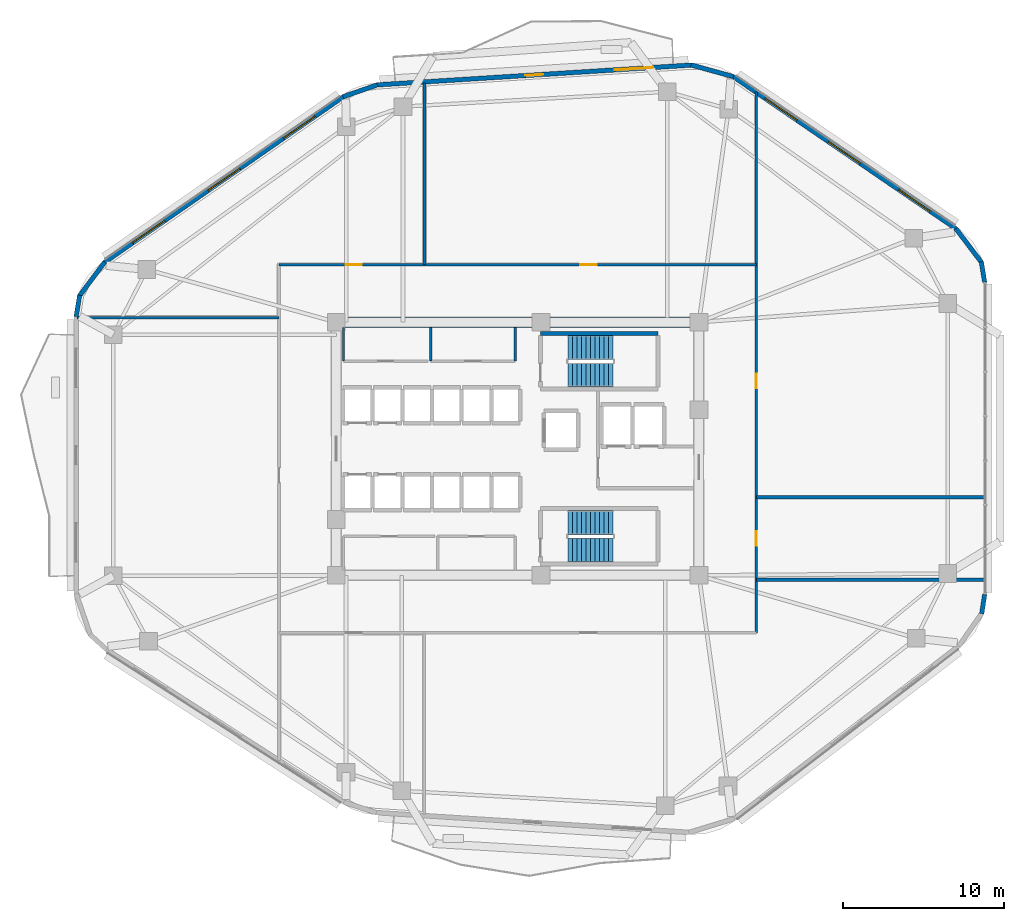
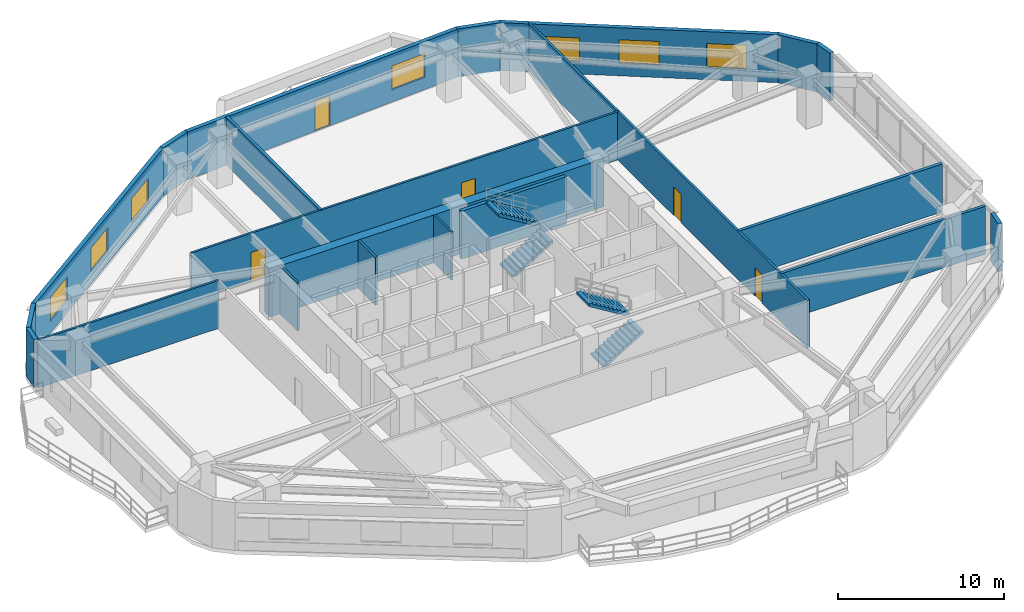
# One storey, part 10 of 13: 21 walls, 7 windows, 5 doors, 4 stair flights, 12 openings, 2 elements without a shape of their own.
"""IFC4 building model written with IfcOpenShell, lengths in metres."""

import ifcopenshell
import ifcopenshell.guid

model = None  # the IFC model being written
_history = None  # IfcOwnerHistory: only IFC2X3 demands one
_inside = {}  # id of a spatial element -> (the spatial element, [elements in it])
_under = {}  # id of a project, library or spatial element -> (it, [spatial elements below it])
_declared = {}  # id of a project -> (the project, [libraries it declares])
_typed = {}  # id of a type object -> (the type object, [elements of that type])
_made_of = {}  # id of a material, layer set ... -> (it, [elements and type objects made of it])


def new_model(schema):
    """Start an empty IFC model of exactly this schema.

    Asked for "IFC4X3", IfcOpenShell would pick the latest addendum, in which some entities
    have other attributes; the version numbers below select the first issue.
    IFC2X3 requires an IfcOwnerHistory on every rooted entity: one is made here for all.
    """
    global model, _history
    if schema == "IFC4X3":
        model = ifcopenshell.file(schema_version=(4, 3, 0, 0))
    else:
        model = ifcopenshell.file(schema=schema)
    _inside.clear()
    _under.clear()
    _declared.clear()
    _typed.clear()
    _made_of.clear()
    _history = None
    if model.schema == "IFC2X3":
        org = make("IfcOrganization", Name="unknown")
        user = make(
            "IfcPersonAndOrganization",
            ThePerson=make("IfcPerson", FamilyName="unknown"),
            TheOrganization=org,
        )
        app = make(
            "IfcApplication",
            ApplicationDeveloper=org,
            Version="unknown",
            ApplicationFullName="unknown",
            ApplicationIdentifier="unknown",
        )
        _history = make(
            "IfcOwnerHistory",
            OwningUser=user,
            OwningApplication=app,
            ChangeAction="ADDED",
            CreationDate=0,
        )
    return model


def make(cls, **values):
    """One entity of the class cls with the attributes given. An attribute that is None is left unset."""
    return model.create_entity(
        cls, **{name: value for name, value in values.items() if value is not None}
    )


def rooted(cls, **values):
    """An entity with a GlobalId (a new one), such as an element, a storey or a relation."""
    return make(cls, GlobalId=ifcopenshell.guid.new(), OwnerHistory=_history, **values)


def si_unit(unit_type, name, prefix=None):
    """IfcSIUnit, for example si_unit("LENGTHUNIT", "METRE", prefix="MILLI")."""
    return make("IfcSIUnit", UnitType=unit_type, Prefix=prefix, Name=name)


def assignment(units):
    """IfcUnitAssignment: the units of a project."""
    return None if units is None else make("IfcUnitAssignment", Units=units)


def point(xyz):
    """IfcCartesianPoint."""
    return None if xyz is None else make("IfcCartesianPoint", Coordinates=xyz)


def direction(xyz):
    """IfcDirection."""
    return None if xyz is None else make("IfcDirection", DirectionRatios=xyz)


def frame(location, z_axis=None, x_axis=None):
    """IfcAxis2Placement3D, a coordinate frame: its origin and axes. An axis left out is left unset."""
    return make(
        "IfcAxis2Placement3D",
        Location=point(location),
        Axis=direction(z_axis),
        RefDirection=direction(x_axis),
    )


def frame_2d(location, x_axis=None):
    """IfcAxis2Placement2D, a coordinate frame in the plane: its origin and x axis."""
    return make(
        "IfcAxis2Placement2D", Location=point(location), RefDirection=direction(x_axis)
    )


def origin():
    """The frame at (0, 0, 0) with its axes left unset."""
    return frame((0.0, 0.0, 0.0))


def place(relative_to, where):
    """IfcLocalPlacement: puts the frame where relative to a parent placement (None: the world)."""
    return make(
        "IfcLocalPlacement", PlacementRelTo=relative_to, RelativePlacement=where
    )


def context(
    kind, dimensions, precision=None, world=None, true_north=None, identifier=None
):
    """IfcGeometricRepresentationContext, for example the 3D "Model" context."""
    return make(
        "IfcGeometricRepresentationContext",
        ContextIdentifier=identifier,
        ContextType=kind,
        CoordinateSpaceDimension=dimensions,
        Precision=precision,
        WorldCoordinateSystem=world,
        TrueNorth=true_north,
    )


def subcontext(parent, identifier, kind, view, scale=None):
    """IfcGeometricRepresentationSubContext, for example "Body" below "Model"."""
    return make(
        "IfcGeometricRepresentationSubContext",
        ContextIdentifier=identifier,
        ContextType=kind,
        ParentContext=parent,
        TargetScale=scale,
        TargetView=view,
    )


def project(units=None, contexts=None):
    """IfcProject with its units and contexts."""
    return rooted(
        "IfcProject",
        Name="project",
        RepresentationContexts=contexts,
        UnitsInContext=assignment(units),
    )


def spatial(cls, under=None, at=None, **own):
    """A site, building, storey or space (cls), placed at a placement, below another one or the project."""
    s = rooted(cls, ObjectPlacement=at, **own)
    if under is not None:
        _under.setdefault(under.id(), (under, []))[1].append(s)
    return s


def polyline(points):
    """IfcPolyline through the points."""
    return make("IfcPolyline", Points=[point(p) for p in points])


def profile(cls, at=None, kind="AREA", **sizes):
    """A parametric profile (cls). Its sizes go by their IFC names, for example OverallWidth=200.0."""
    return make(cls, ProfileType=kind, Position=at, **sizes)


def rectangle(**sizes):
    """IfcRectangleProfileDef."""
    return profile("IfcRectangleProfileDef", **sizes)


def outline(outer, holes=None, kind="AREA"):
    """IfcArbitraryClosedProfileDef: a profile drawn as a closed curve; with holes, ...WithVoids."""
    if holes is None:
        return make("IfcArbitraryClosedProfileDef", ProfileType=kind, OuterCurve=outer)
    return make(
        "IfcArbitraryProfileDefWithVoids",
        ProfileType=kind,
        OuterCurve=outer,
        InnerCurves=holes,
    )


def extrude(swept, where, along, depth):
    """IfcExtrudedAreaSolid: the profile swept, set in the frame where, extruded along a direction by depth."""
    return make(
        "IfcExtrudedAreaSolid",
        SweptArea=swept,
        Position=where,
        ExtrudedDirection=direction(along),
        Depth=depth,
    )


def shape(context_of_items, identifier, shape_type, items):
    """IfcShapeRepresentation: the items that make up one representation, for example the "Body"."""
    return make(
        "IfcShapeRepresentation",
        ContextOfItems=context_of_items,
        RepresentationIdentifier=identifier,
        RepresentationType=shape_type,
        Items=items,
    )


def material(Name=None, Category=None):
    """IfcMaterial."""
    return make("IfcMaterial", Name=Name, Category=Category)


def layer(
    of_material, thickness, ventilated=None, Name=None, Category=None, Priority=None
):
    """IfcMaterialLayer: one layer of a wall or slab, of a material (None: an air gap)."""
    return make(
        "IfcMaterialLayer",
        Material=of_material,
        LayerThickness=thickness,
        IsVentilated=ventilated,
        Name=Name,
        Category=Category,
        Priority=Priority,
    )


def layer_set(layers, Name=None):
    """IfcMaterialLayerSet."""
    return make("IfcMaterialLayerSet", MaterialLayers=layers, LayerSetName=Name)


def made_of(thing, what):
    """Note that an element or type object is made of a material, layer set ...; save() writes the relation."""
    if what is not None:
        _made_of.setdefault(what.id(), (what, []))[1].append(thing)
    return thing


def type_object(cls, material=None, **own):
    """A type object (cls), such as IfcWallType, which elements share."""
    return made_of(rooted(cls, **own), material)


def element(
    cls,
    number,
    at=None,
    inside=None,
    cuts=None,
    type_object=None,
    material=None,
    context=None,
    identifier="Body",
    shape_type=None,
    held_by="IfcProductDefinitionShape",
    body=None,
    shapes=None,
    **own,
):
    """One element of the class cls, such as IfcWall. Its Tag is "e" and its number.

    at: its placement. inside: the storey or other place that contains it. cuts: it is an
    opening in that element (IfcRelVoidsElement). A single representation is given by context,
    identifier, shape_type and body (its items); several are given by shapes. held_by: the class
    of the entity that holds the representations. save() writes the other relations.
    """
    e = rooted(cls, Tag="e%d" % number, ObjectPlacement=at, **own)
    if body is not None:
        shapes = [shape(context, identifier, shape_type, body)]
    if shapes is not None:
        e.Representation = make(held_by, Representations=shapes)
    if inside is not None:
        _inside.setdefault(inside.id(), (inside, []))[1].append(e)
    if cuts is not None:
        rooted(
            "IfcRelVoidsElement", RelatingBuildingElement=cuts, RelatedOpeningElement=e
        )
    if type_object is not None:
        _typed.setdefault(type_object.id(), (type_object, []))[1].append(e)
    return made_of(e, material)


def fill(opening, filler):
    """IfcRelFillsElement: the door or window that sits in an opening."""
    return rooted(
        "IfcRelFillsElement",
        RelatingOpeningElement=opening,
        RelatedBuildingElement=filler,
    )


def aggregate(whole, parts):
    """IfcRelAggregates: a whole, such as a stair, and the parts it consists of."""
    return rooted("IfcRelAggregates", RelatingObject=whole, RelatedObjects=parts)


def save(model, path):
    """Write the relations noted so far, then the file.

    IfcRelAggregates (storeys below a building ...), IfcRelContainedInSpatialStructure (elements
    in a storey), IfcRelDefinesByType, IfcRelAssociatesMaterial and IfcRelDeclares: one each for
    every whole, place, type object, material and project.
    """
    for whole, parts in _under.values():
        aggregate(whole, parts)
    for where, things in _inside.values():
        rooted(
            "IfcRelContainedInSpatialStructure",
            RelatedElements=things,
            RelatingStructure=where,
        )
    for kind, things in _typed.values():
        rooted("IfcRelDefinesByType", RelatedObjects=things, RelatingType=kind)
    for what, things in _made_of.values():
        rooted("IfcRelAssociatesMaterial", RelatedObjects=things, RelatingMaterial=what)
    for by, libraries in _declared.values():
        rooted("IfcRelDeclares", RelatingContext=by, RelatedDefinitions=libraries)
    model.write(path)


model = new_model("IFC4")

# Units and contexts
model_context = context("Model", 3, precision=1e-05, world=origin(), true_north=direction((0.0, 1.0)))
body_context = subcontext(model_context, "Body", "Model", "MODEL_VIEW")
ifc_project = project(units=[si_unit("LENGTHUNIT", "METRE"), si_unit("AREAUNIT", "SQUARE_METRE"), si_unit("VOLUMEUNIT", "CUBIC_METRE"), si_unit("PLANEANGLEUNIT", "RADIAN"), si_unit("MASSUNIT", "GRAM", prefix="KILO")], contexts=[model_context])

# Site, building, storey
site_placement = place(None, origin())
site = spatial("IfcSite", under=ifc_project, at=site_placement, CompositionType="ELEMENT")
building_placement = place(site_placement, origin())
building = spatial("IfcBuilding", under=site, at=building_placement, Name="Zulverin Broadcast Headquarters", CompositionType="ELEMENT")
storey_placement = place(building_placement, frame((0.0, 0.0, 108.60009765625)))
storey = spatial("IfcBuildingStorey", under=building, at=storey_placement, Name="L27", CompositionType="ELEMENT", Elevation=108.60009765625)

# Walls
ifc_material_1 = material(Name="Acoustic drywall steel stud", Category="steel")
ifc_layer_1 = layer(ifc_material_1, 0.199951171875, Name="Acoustic drywall steel stud", Category="steel")
ifc_layer_set_1 = layer_set([ifc_layer_1], Name="Acoustic drywall steel stud")
wall_type_1 = type_object("IfcWallType", Name="WL-ACOU-200", PredefinedType="PARTITIONING", material=ifc_layer_set_1)
wall_1_placement = place(storey_placement, frame((31.199951171875, 36.64990234375, 0.0), z_axis=(0.0, 0.0, 1.0), x_axis=(0.0, 1.0, 0.0)))
element("IfcWall", 1, at=wall_1_placement, inside=storey, type_object=wall_type_1, Name="L27 Room Partition Wall RP-03", PredefinedType="PARTITIONING", context=body_context, shape_type="SweptSolid", body=[
    extrude(rectangle(XDim=11.305908203125, YDim=0.199951171875, at=frame_2d((5.65283203125, 0.0))), origin(), (0.0, 0.0, 1.0), 3.52490234375),
])
wall_2_placement = place(storey_placement, frame((51.85009765625, 17.050048828125, 0.0), z_axis=(0.0, 0.0, 1.0), x_axis=(1.0, 0.0, 0.0)))
element("IfcWall", 2, at=wall_2_placement, inside=storey, type_object=wall_type_1, Name="L27 Room Partition Wall RP-06", PredefinedType="PARTITIONING", context=body_context, shape_type="SweptSolid", body=[
    extrude(rectangle(XDim=14.14501953125, YDim=0.199951171875, at=frame_2d((7.072509765625, 0.0))), origin(), (0.0, 0.0, 1.0), 3.52490234375),
])
ifc_material_2 = material(Name="Double-stud acoustic drywall", Category="gypsum")
ifc_layer_2 = layer(ifc_material_2, 0.219970703125, Name="Double-stud acoustic drywall", Category="gypsum")
ifc_layer_set_2 = layer_set([ifc_layer_2], Name="Double-stud acoustic drywall")
wall_type_2 = type_object("IfcWallType", Name="WL-ACOU-220", PredefinedType="PARTITIONING", material=ifc_layer_set_2)
wall_3_placement = place(storey_placement, frame((51.85009765625, 22.199951171875, 0.0), z_axis=(0.0, 0.0, 1.0), x_axis=(1.0, 0.0, 0.0)))
element("IfcWall", 3, at=wall_3_placement, inside=storey, type_object=wall_type_2, Name="L27 Room Partition Wall RP-07", PredefinedType="PARTITIONING", context=body_context, shape_type="SweptSolid", body=[
    extrude(rectangle(XDim=14.14501953125, YDim=0.219970703125, at=frame_2d((7.072509765625, 0.0))), origin(), (0.0, 0.0, 1.0), 3.52490234375),
])
ifc_material_3 = material(Name="Concrete C60/75", Category="concrete")
ifc_layer_3 = layer(ifc_material_3, 0.64990234375, Name="Concrete C60/75", Category="concrete")
ifc_layer_set_3 = layer_set([ifc_layer_3], Name="Concrete C60/75")
wall_type_3 = type_object("IfcWallType", Name="WL-CORE-650", PredefinedType="SHEAR", material=ifc_layer_set_3)
wall_4_placement = place(storey_placement, frame((25.39990234375, 33.074951171875, 0.0), z_axis=(0.0, 0.0, 1.0), x_axis=(1.0, 0.0, 0.0)))
element("IfcWall", 4, at=wall_4_placement, inside=storey, type_object=wall_type_3, Name="L27 Core North Shear Wall", PredefinedType="SHEAR", context=body_context, shape_type="SweptSolid", body=[
    extrude(rectangle(XDim=23.2001953125, YDim=0.64990234375, at=frame_2d((11.60009765625, 0.0))), origin(), (0.0, 0.0, 1.0), 3.52490234375),
])

# Wall, openings, windows
ifc_material_4 = material(Name="Insulated pale-metal clad concrete spandrel C40/50", Category="concrete")
ifc_layer_4 = layer(ifc_material_4, 0.280029296875, Name="Insulated pale-metal clad concrete spandrel C40/50", Category="concrete")
ifc_layer_set_4 = layer_set([ifc_layer_4], Name="Insulated pale-metal clad concrete spandrel C40/50")
wall_type_4 = type_object("IfcWallType", Name="WL-EXT-280", PredefinedType="STANDARD", material=ifc_layer_set_4)
wall_5_placement = place(storey_placement, frame((64.289794921875, 38.8671875, 0.0), z_axis=(0.0, 0.0, 1.0), x_axis=(-0.825755550159, 0.564028165416, 0.0)))
wall_5 = element("IfcWall", 5, at=wall_5_placement, inside=storey, type_object=wall_type_4, Name="L27 Pale-Metal Clad Spandrel Wall 4", PredefinedType="STANDARD", context=body_context, shape_type="SweptSolid", body=[
    extrude(rectangle(XDim=16.848388671875, YDim=0.280029296875, at=frame_2d((8.42431640625, 0.0))), origin(), (0.0, 0.0, 1.0), 3.52490234375),
])
opening_1_placement = place(wall_5_placement, frame((1.94140625, 0.0, 0.89990234375)))
opening_1 = element("IfcOpeningElement", 6, at=opening_1_placement, cuts=wall_5, Name="Opening W-L27-E41", PredefinedType="OPENING", context=body_context, shape_type="SweptSolid", body=[
    extrude(rectangle(XDim=2.39990234375, YDim=1.75, at=frame_2d((1.199951171875, 0.875))), frame((0.0, 0.14990234375, 0.0), z_axis=(0.0, -1.0, 0.0), x_axis=(1.0, 0.0, 0.0)), (0.0, 0.0, 1.0), 0.300048828125),
])
opening_2_placement = place(wall_5_placement, frame((7.22412109375, 0.0, 0.89990234375)))
opening_2 = element("IfcOpeningElement", 7, at=opening_2_placement, cuts=wall_5, Name="Opening W-L27-E42", PredefinedType="OPENING", context=body_context, shape_type="SweptSolid", body=[
    extrude(rectangle(XDim=2.39990234375, YDim=1.75, at=frame_2d((1.199951171875, 0.875))), frame((0.0, 0.14990234375, 0.0), z_axis=(0.0, -1.0, 0.0), x_axis=(1.0, 0.0, 0.0)), (0.0, 0.0, 1.0), 0.300048828125),
])
opening_3_placement = place(wall_5_placement, frame((12.0068359375, 0.0, 0.89990234375)))
opening_3 = element("IfcOpeningElement", 8, at=opening_3_placement, cuts=wall_5, Name="Opening W-L27-E43", PredefinedType="OPENING", context=body_context, shape_type="SweptSolid", body=[
    extrude(rectangle(XDim=2.39990234375, YDim=1.75, at=frame_2d((1.199951171875, 0.875))), frame((0.0, 0.14990234375, 0.0), z_axis=(0.0, -1.0, 0.0), x_axis=(1.0, 0.0, 0.0)), (0.0, 0.0, 1.0), 0.300048828125),
])
ifc_material_5 = material(Name="Pale anodized aluminium frame with solar-control low-E double glazing", Category="aluminium")
window_type = type_object("IfcWindowType", Name="WIN-RIB-2400", PartitioningType="SINGLE_PANEL", PredefinedType="WINDOW", material=ifc_material_5)
window_1_placement = place(opening_1_placement, origin())
window_1 = element("IfcWindow", 9, at=window_1_placement, inside=storey, type_object=window_type, Name="L27 Ribbon Glazing Window 4 1", OverallHeight=1.75, OverallWidth=2.39990234375, PartitioningType="SINGLE_PANEL", PredefinedType="WINDOW", context=body_context, shape_type="SweptSolid", body=[
    extrude(rectangle(XDim=2.39990234375, YDim=1.75, at=frame_2d((1.199951171875, 0.875))), frame((0.0, 0.030029296875, 0.0), z_axis=(0.0, -1.0, 0.0), x_axis=(1.0, 0.0, 0.0)), (0.0, 0.0, 1.0), 0.06005859375),
])
fill(opening_1, window_1)
window_2_placement = place(opening_2_placement, origin())
window_2 = element("IfcWindow", 10, at=window_2_placement, inside=storey, type_object=window_type, Name="L27 Ribbon Glazing Window 4 2", OverallHeight=1.75, OverallWidth=2.39990234375, PartitioningType="SINGLE_PANEL", PredefinedType="WINDOW", context=body_context, shape_type="SweptSolid", body=[
    extrude(rectangle(XDim=2.39990234375, YDim=1.75, at=frame_2d((1.199951171875, 0.875))), frame((0.0, 0.030029296875, 0.0), z_axis=(0.0, -1.0, 0.0), x_axis=(1.0, 0.0, 0.0)), (0.0, 0.0, 1.0), 0.06005859375),
])
fill(opening_2, window_2)
window_3_placement = place(opening_3_placement, origin())
window_3 = element("IfcWindow", 11, at=window_3_placement, inside=storey, type_object=window_type, Name="L27 Ribbon Glazing Window 4 3", OverallHeight=1.75, OverallWidth=2.39990234375, PartitioningType="SINGLE_PANEL", PredefinedType="WINDOW", context=body_context, shape_type="SweptSolid", body=[
    extrude(rectangle(XDim=2.39990234375, YDim=1.75, at=frame_2d((1.199951171875, 0.875))), frame((0.0, 0.030029296875, 0.0), z_axis=(0.0, -1.0, 0.0), x_axis=(1.0, 0.0, 0.0)), (0.0, 0.0, 1.0), 0.06005859375),
])
fill(opening_3, window_3)

# Wall, openings, door, window
wall_6_placement = place(storey_placement, frame((47.831787109375, 49.0693359375, 0.0), z_axis=(0.0, 0.0, 1.0), x_axis=(-0.998017725054, -0.062933460723, 0.0)))
wall_6 = element("IfcWall", 12, at=wall_6_placement, inside=storey, type_object=wall_type_4, Name="L27 Pale-Metal Clad Spandrel Wall 5", PredefinedType="STANDARD", context=body_context, shape_type="SweptSolid", body=[
    extrude(rectangle(XDim=19.62939453125, YDim=0.280029296875, at=frame_2d((9.814697265625, 0.0))), origin(), (0.0, 0.0, 1.0), 3.52490234375),
])
opening_4_placement = place(wall_6_placement, frame((9.264892578125, 0.0, 0.0)))
opening_4 = element("IfcOpeningElement", 13, at=opening_4_placement, cuts=wall_6, Name="Opening D-L27-TR5", PredefinedType="OPENING", context=body_context, shape_type="SweptSolid", body=[
    extrude(rectangle(XDim=1.10009765625, YDim=2.199951171875, at=frame_2d((0.550048828125, 1.10009765625))), frame((0.0, 0.14990234375, 0.0), z_axis=(0.0, -1.0, 0.0), x_axis=(1.0, 0.0, 0.0)), (0.0, 0.0, 1.0), 0.300048828125),
])
opening_5_placement = place(wall_6_placement, frame((2.40478515625, 0.0, 0.89990234375)))
opening_5 = element("IfcOpeningElement", 14, at=opening_5_placement, cuts=wall_6, Name="Opening W-L27-E51", PredefinedType="OPENING", context=body_context, shape_type="SweptSolid", body=[
    extrude(rectangle(XDim=2.39990234375, YDim=1.75, at=frame_2d((1.199951171875, 0.875))), frame((0.0, 0.14990234375, 0.0), z_axis=(0.0, -1.0, 0.0), x_axis=(1.0, 0.0, 0.0)), (0.0, 0.0, 1.0), 0.300048828125),
])
ifc_material_6 = material(Name="Thermally broken aluminium glazed", Category="aluminium")
door_type_1 = type_object("IfcDoorType", Name="DR-TERR-1100", OperationType="SINGLE_SWING_RIGHT", PredefinedType="DOOR", material=ifc_material_6)
door_1_placement = place(opening_4_placement, origin())
door_1 = element("IfcDoor", 15, at=door_1_placement, inside=storey, type_object=door_type_1, Name="L27 Planted Terrace Glazed Access Door 5", OperationType="SINGLE_SWING_RIGHT", OverallHeight=2.199951171875, OverallWidth=1.10009765625, PredefinedType="DOOR", context=body_context, shape_type="SweptSolid", body=[
    extrude(rectangle(XDim=1.10009765625, YDim=2.199951171875, at=frame_2d((0.550048828125, 1.10009765625))), frame((0.0, 0.02490234375, 0.0), z_axis=(0.0, -1.0, 0.0), x_axis=(1.0, 0.0, 0.0)), (0.0, 0.0, 1.0), 0.050048828125),
])
fill(opening_4, door_1)
window_4_placement = place(opening_5_placement, origin())
window_4 = element("IfcWindow", 16, at=window_4_placement, inside=storey, type_object=window_type, Name="L27 Ribbon Glazing Window 5 1", OverallHeight=1.75, OverallWidth=2.39990234375, PartitioningType="SINGLE_PANEL", PredefinedType="WINDOW", context=body_context, shape_type="SweptSolid", body=[
    extrude(rectangle(XDim=2.39990234375, YDim=1.75, at=frame_2d((1.199951171875, 0.875))), frame((0.0, 0.030029296875, 0.0), z_axis=(0.0, -1.0, 0.0), x_axis=(1.0, 0.0, 0.0)), (0.0, 0.0, 1.0), 0.06005859375),
])
fill(opening_5, window_4)

# Wall, openings, windows
wall_7_placement = place(storey_placement, frame((26.181884765625, 47.11767578125, 0.0), z_axis=(0.0, 0.0, 1.0), x_axis=(-0.821547956627, -0.570139417127, 0.0)))
wall_7 = element("IfcWall", 17, at=wall_7_placement, inside=storey, type_object=wall_type_4, Name="L27 Pale-Metal Clad Spandrel Wall 6", PredefinedType="STANDARD", context=body_context, shape_type="SweptSolid", body=[
    extrude(rectangle(XDim=18.13232421875, YDim=0.280029296875, at=frame_2d((9.066162109375, 0.0))), origin(), (0.0, 0.0, 1.0), 3.52490234375),
])
opening_6_placement = place(wall_7_placement, frame((2.155517578125, 0.0, 0.89990234375)))
opening_6 = element("IfcOpeningElement", 18, at=opening_6_placement, cuts=wall_7, Name="Opening W-L27-E61", PredefinedType="OPENING", context=body_context, shape_type="SweptSolid", body=[
    extrude(rectangle(XDim=2.39990234375, YDim=1.75, at=frame_2d((1.199951171875, 0.875))), frame((0.0, 0.14990234375, 0.0), z_axis=(0.0, -1.0, 0.0), x_axis=(1.0, 0.0, 0.0)), (0.0, 0.0, 1.0), 0.300048828125),
])
opening_7_placement = place(wall_7_placement, frame((7.8662109375, 0.0, 0.89990234375)))
opening_7 = element("IfcOpeningElement", 19, at=opening_7_placement, cuts=wall_7, Name="Opening W-L27-E62", PredefinedType="OPENING", context=body_context, shape_type="SweptSolid", body=[
    extrude(rectangle(XDim=2.39990234375, YDim=1.75, at=frame_2d((1.199951171875, 0.875))), frame((0.0, 0.14990234375, 0.0), z_axis=(0.0, -1.0, 0.0), x_axis=(1.0, 0.0, 0.0)), (0.0, 0.0, 1.0), 0.300048828125),
])
opening_8_placement = place(wall_7_placement, frame((13.576904296875, 0.0, 0.89990234375)))
opening_8 = element("IfcOpeningElement", 20, at=opening_8_placement, cuts=wall_7, Name="Opening W-L27-E63", PredefinedType="OPENING", context=body_context, shape_type="SweptSolid", body=[
    extrude(rectangle(XDim=2.39990234375, YDim=1.75, at=frame_2d((1.199951171875, 0.875))), frame((0.0, 0.14990234375, 0.0), z_axis=(0.0, -1.0, 0.0), x_axis=(1.0, 0.0, 0.0)), (0.0, 0.0, 1.0), 0.300048828125),
])
window_5_placement = place(opening_6_placement, origin())
window_5 = element("IfcWindow", 21, at=window_5_placement, inside=storey, type_object=window_type, Name="L27 Ribbon Glazing Window 6 1", OverallHeight=1.75, OverallWidth=2.39990234375, PartitioningType="SINGLE_PANEL", PredefinedType="WINDOW", context=body_context, shape_type="SweptSolid", body=[
    extrude(rectangle(XDim=2.39990234375, YDim=1.75, at=frame_2d((1.199951171875, 0.875))), frame((0.0, 0.030029296875, 0.0), z_axis=(0.0, -1.0, 0.0), x_axis=(1.0, 0.0, 0.0)), (0.0, 0.0, 1.0), 0.06005859375),
])
fill(opening_6, window_5)
window_6_placement = place(opening_7_placement, origin())
window_6 = element("IfcWindow", 22, at=window_6_placement, inside=storey, type_object=window_type, Name="L27 Ribbon Glazing Window 6 2", OverallHeight=1.75, OverallWidth=2.39990234375, PartitioningType="SINGLE_PANEL", PredefinedType="WINDOW", context=body_context, shape_type="SweptSolid", body=[
    extrude(rectangle(XDim=2.39990234375, YDim=1.75, at=frame_2d((1.199951171875, 0.875))), frame((0.0, 0.030029296875, 0.0), z_axis=(0.0, -1.0, 0.0), x_axis=(1.0, 0.0, 0.0)), (0.0, 0.0, 1.0), 0.06005859375),
])
fill(opening_7, window_6)
window_7_placement = place(opening_8_placement, origin())
window_7 = element("IfcWindow", 23, at=window_7_placement, inside=storey, type_object=window_type, Name="L27 Ribbon Glazing Window 6 3", OverallHeight=1.75, OverallWidth=2.39990234375, PartitioningType="SINGLE_PANEL", PredefinedType="WINDOW", context=body_context, shape_type="SweptSolid", body=[
    extrude(rectangle(XDim=2.39990234375, YDim=1.75, at=frame_2d((1.199951171875, 0.875))), frame((0.0, 0.030029296875, 0.0), z_axis=(0.0, -1.0, 0.0), x_axis=(1.0, 0.0, 0.0)), (0.0, 0.0, 1.0), 0.06005859375),
])
fill(opening_8, window_7)

# Walls
wall_8_placement = place(storey_placement, frame((65.867431640625, 14.942626953125, 0.0), z_axis=(0.0, 0.0, 1.0), x_axis=(0.152102600021, 0.988364709541, 0.0)))
element("IfcWall", 24, at=wall_8_placement, inside=storey, type_object=wall_type_4, Name="L27 Wind-Shaped Corner Spandrel Wall 2-2", PredefinedType="STANDARD", context=body_context, shape_type="SweptSolid", body=[
    extrude(rectangle(XDim=1.2119140625, YDim=0.280029296875, at=frame_2d((0.60595703125, 0.0))), origin(), (0.0, 0.0, 1.0), 3.52490234375),
])
wall_9_placement = place(storey_placement, frame((66.051513671875, 35.55615234375, 0.0), z_axis=(0.0, 0.0, 1.0), x_axis=(-0.161357776207, 0.98689597631, 0.0)))
element("IfcWall", 25, at=wall_9_placement, inside=storey, type_object=wall_type_4, Name="L27 Wind-Shaped Corner Spandrel Wall 3-1", PredefinedType="STANDARD", context=body_context, shape_type="SweptSolid", body=[
    extrude(rectangle(XDim=1.2890625, YDim=0.280029296875, at=frame_2d((0.64453125, 0.0))), origin(), (0.0, 0.0, 1.0), 3.52490234375),
])
wall_10_placement = place(storey_placement, frame((65.8701171875, 36.7666015625, 0.0), z_axis=(0.0, 0.0, 1.0), x_axis=(-0.603370463754, 0.797461023166, 0.0)))
element("IfcWall", 26, at=wall_10_placement, inside=storey, type_object=wall_type_4, Name="L27 Wind-Shaped Corner Spandrel Wall 3-2", PredefinedType="STANDARD", context=body_context, shape_type="SweptSolid", body=[
    extrude(rectangle(XDim=2.6728515625, YDim=0.280029296875, at=frame_2d((1.33642578125, 0.0))), origin(), (0.0, 0.0, 1.0), 3.52490234375),
])
wall_11_placement = place(storey_placement, frame((50.419189453125, 48.3505859375, 0.0), z_axis=(0.0, 0.0, 1.0), x_axis=(-0.964254516967, 0.264977784933, 0.0)))
element("IfcWall", 27, at=wall_11_placement, inside=storey, type_object=wall_type_4, Name="L27 Wind-Shaped Corner Spandrel Wall 4-1", PredefinedType="STANDARD", context=body_context, shape_type="SweptSolid", body=[
    extrude(rectangle(XDim=2.73095703125, YDim=0.280029296875, at=frame_2d((1.365478515625, 0.0))), origin(), (0.0, 0.0, 1.0), 3.52490234375),
])
wall_12_placement = place(storey_placement, frame((28.2783203125, 47.841552734375, 0.0), z_axis=(0.0, 0.0, 1.0), x_axis=(-0.9444559001, -0.328638179106, 0.0)))
element("IfcWall", 28, at=wall_12_placement, inside=storey, type_object=wall_type_4, Name="L27 Wind-Shaped Corner Spandrel Wall 5-1", PredefinedType="STANDARD", context=body_context, shape_type="SweptSolid", body=[
    extrude(rectangle(XDim=2.25537109375, YDim=0.280029296875, at=frame_2d((1.127685546875, 0.0))), origin(), (0.0, 0.0, 1.0), 3.52490234375),
])
wall_13_placement = place(storey_placement, frame((11.317626953125, 36.81103515625, 0.0), z_axis=(0.0, 0.0, 1.0), x_axis=(-0.599455152629, -0.800408345775, 0.0)))
element("IfcWall", 29, at=wall_13_placement, inside=storey, type_object=wall_type_4, Name="L27 Wind-Shaped Corner Spandrel Wall 6-1", PredefinedType="STANDARD", context=body_context, shape_type="SweptSolid", body=[
    extrude(rectangle(XDim=2.6533203125, YDim=0.280029296875, at=frame_2d((1.32666015625, 0.0))), origin(), (0.0, 0.0, 1.0), 3.52490234375),
])
wall_14_placement = place(storey_placement, frame((9.753173828125, 34.748779296875, 0.0), z_axis=(0.0, 0.0, 1.0), x_axis=(-0.160037671962, -0.987110907423, 0.0)))
element("IfcWall", 30, at=wall_14_placement, inside=storey, type_object=wall_type_4, Name="L27 Wind-Shaped Corner Spandrel Wall 6-2", PredefinedType="STANDARD", context=body_context, shape_type="SweptSolid", body=[
    extrude(rectangle(XDim=1.343994140625, YDim=0.280029296875, at=frame_2d((0.671875, 0.0))), origin(), (0.0, 0.0, 1.0), 3.52490234375),
])
ifc_material_7 = material(Name="Fire-rated gypsum stud partition", Category="gypsum")
ifc_layer_5 = layer(ifc_material_7, 0.14990234375, Name="Fire-rated gypsum stud partition", Category="gypsum")
ifc_layer_set_5 = layer_set([ifc_layer_5], Name="Fire-rated gypsum stud partition")
wall_type_5 = type_object("IfcWallType", Name="WL-PART-150", PredefinedType="PARTITIONING", material=ifc_layer_set_5)
for number, where, z_axis, x_axis, name in (
    (31, (26.169921875, 30.64990234375, 0.0), (0.0, 0.0, 1.0), (0.0, 1.0, 0.0), "L27 Core Male WC West Wall"),
    (32, (31.590087890625, 30.64990234375, 0.0), (0.0, 0.0, 1.0), (0.0, 1.0, 0.0), "L27 Core Accessible WC West Wall"),
    (33, (36.85009765625, 30.64990234375, 0.0), (0.0, 0.0, 1.0), (0.0, 1.0, 0.0), "L27 Core Accessible WC East Wall"),
):
    element("IfcWall", number, at=place(storey_placement, frame(where, z_axis=z_axis, x_axis=x_axis)), inside=storey, type_object=wall_type_5, Name=name, PredefinedType="PARTITIONING", context=body_context, shape_type="SweptSolid", body=[
        extrude(rectangle(XDim=2.10009765625, YDim=0.14990234375, at=frame_2d((1.050048828125, 0.0))), origin(), (0.0, 0.0, 1.0), 3.52490234375),
    ])

# Wall, openings, doors
wall_15_placement = place(storey_placement, frame((51.85009765625, 13.75, 0.0), z_axis=(0.0, 0.0, 1.0), x_axis=(0.0, 1.0, 0.0)))
wall_15 = element("IfcWall", 34, at=wall_15_placement, inside=storey, type_object=wall_type_5, Name="L27 Gallery Partition Wall CG-01", PredefinedType="PARTITIONING", context=body_context, shape_type="SweptSolid", body=[
    extrude(rectangle(XDim=33.6435546875, YDim=0.14990234375, at=frame_2d((16.82177734375, 0.0))), origin(), (0.0, 0.0, 1.0), 3.52490234375),
])
opening_9_placement = place(wall_15_placement, frame((5.425048828125, 0.0, 0.0)))
opening_9 = element("IfcOpeningElement", 35, at=opening_9_placement, cuts=wall_15, Name="Opening D-L27-06", PredefinedType="OPENING", context=body_context, shape_type="SweptSolid", body=[
    extrude(rectangle(XDim=0.89990234375, YDim=2.10009765625, at=frame_2d((0.449951171875, 1.050048828125))), frame((0.0, 0.0849609375, 0.0), z_axis=(0.0, -1.0, 0.0), x_axis=(1.0, 0.0, 0.0)), (0.0, 0.0, 1.0), 0.169921875),
])
opening_10_placement = place(wall_15_placement, frame((15.22509765625, 0.0, 0.0)))
opening_10 = element("IfcOpeningElement", 36, at=opening_10_placement, cuts=wall_15, Name="Opening D-L27-07", PredefinedType="OPENING", context=body_context, shape_type="SweptSolid", body=[
    extrude(rectangle(XDim=0.89990234375, YDim=2.10009765625, at=frame_2d((0.449951171875, 1.050048828125))), frame((0.0, 0.0849609375, 0.0), z_axis=(0.0, -1.0, 0.0), x_axis=(1.0, 0.0, 0.0)), (0.0, 0.0, 1.0), 0.169921875),
])
ifc_material_8 = material(Name="Fire-rated hardwood veneer timber leaf", Category="wood")
door_type_2 = type_object("IfcDoorType", Name="DR-ROOM-900", OperationType="SINGLE_SWING_RIGHT", PredefinedType="DOOR", material=ifc_material_8)
door_2_placement = place(opening_9_placement, origin())
door_2 = element("IfcDoor", 37, at=door_2_placement, inside=storey, type_object=door_type_2, Name="L27 Staff Cafe & Bar Door", OperationType="SINGLE_SWING_RIGHT", OverallHeight=2.10009765625, OverallWidth=0.89990234375, PredefinedType="DOOR", context=body_context, shape_type="SweptSolid", body=[
    extrude(rectangle(XDim=0.89990234375, YDim=2.10009765625, at=frame_2d((0.449951171875, 1.050048828125))), frame((0.0, 0.02490234375, 0.0), z_axis=(0.0, -1.0, 0.0), x_axis=(1.0, 0.0, 0.0)), (0.0, 0.0, 1.0), 0.050048828125),
])
fill(opening_9, door_2)
door_3_placement = place(opening_10_placement, origin())
door_3 = element("IfcDoor", 38, at=door_3_placement, inside=storey, type_object=door_type_2, Name="L27 Tea Pantry Door", OperationType="SINGLE_SWING_LEFT", OverallHeight=2.10009765625, OverallWidth=0.89990234375, PredefinedType="DOOR", context=body_context, shape_type="SweptSolid", body=[
    extrude(rectangle(XDim=0.89990234375, YDim=2.10009765625, at=frame_2d((0.449951171875, 1.050048828125))), frame((0.0, 0.02490234375, 0.0), z_axis=(0.0, -1.0, 0.0), x_axis=(1.0, 0.0, 0.0)), (0.0, 0.0, 1.0), 0.050048828125),
])
fill(opening_10, door_3)

# Wall
wall_16_placement = place(storey_placement, frame((9.60498046875, 33.35009765625, 0.0), z_axis=(0.0, 0.0, 1.0), x_axis=(1.0, 0.0, 0.0)))
element("IfcWall", 39, at=wall_16_placement, inside=storey, type_object=wall_type_5, Name="L27 Room Partition Wall RP-08", PredefinedType="PARTITIONING", context=body_context, shape_type="SweptSolid", body=[
    extrude(rectangle(XDim=12.544921875, YDim=0.14990234375, at=frame_2d((6.2724609375, 0.0))), origin(), (0.0, 0.0, 1.0), 3.52490234375),
])

# Wall, openings, doors
wall_17_placement = place(storey_placement, frame((22.14990234375, 36.64990234375, 0.0), z_axis=(0.0, 0.0, 1.0), x_axis=(1.0, 0.0, 0.0)))
wall_17 = element("IfcWall", 40, at=wall_17_placement, inside=storey, type_object=wall_type_5, Name="L27 Gallery Partition Wall CG-09", PredefinedType="PARTITIONING", context=body_context, shape_type="SweptSolid", body=[
    extrude(rectangle(XDim=29.7001953125, YDim=0.14990234375, at=frame_2d((14.85009765625, 0.0))), origin(), (0.0, 0.0, 1.0), 3.52490234375),
])
opening_11_placement = place(wall_17_placement, frame((4.14501953125, 0.0, 0.0)))
opening_11 = element("IfcOpeningElement", 41, at=opening_11_placement, cuts=wall_17, Name="Opening D-L27-01", PredefinedType="OPENING", context=body_context, shape_type="SweptSolid", body=[
    extrude(rectangle(XDim=1.0, YDim=2.1201171875, at=frame_2d((0.5, 1.06005859375))), frame((0.0, 0.0849609375, 0.0), z_axis=(0.0, -1.0, 0.0), x_axis=(1.0, 0.0, 0.0)), (0.0, 0.0, 1.0), 0.169921875),
])
opening_12_placement = place(wall_17_placement, frame((18.7548828125, 0.0, 0.0)))
opening_12 = element("IfcOpeningElement", 42, at=opening_12_placement, cuts=wall_17, Name="Opening D-L27-02", PredefinedType="OPENING", context=body_context, shape_type="SweptSolid", body=[
    extrude(rectangle(XDim=1.0, YDim=2.1201171875, at=frame_2d((0.5, 1.06005859375))), frame((0.0, 0.0849609375, 0.0), z_axis=(0.0, -1.0, 0.0), x_axis=(1.0, 0.0, 0.0)), (0.0, 0.0, 1.0), 0.169921875),
])
ifc_material_9 = material(Name="Hardwood veneer acoustic leaf", Category="wood")
door_type_3 = type_object("IfcDoorType", Name="DR-OFF-1000", OperationType="SINGLE_SWING_LEFT", PredefinedType="DOOR", material=ifc_material_9)
door_4_placement = place(opening_11_placement, origin())
door_4 = element("IfcDoor", 43, at=door_4_placement, inside=storey, type_object=door_type_3, Name="L27 Live Newsroom Workplace Door", OperationType="SINGLE_SWING_LEFT", OverallHeight=2.1201171875, OverallWidth=1.0, PredefinedType="DOOR", context=body_context, shape_type="SweptSolid", body=[
    extrude(rectangle(XDim=1.0, YDim=2.1201171875, at=frame_2d((0.5, 1.06005859375))), frame((0.0, 0.02490234375, 0.0), z_axis=(0.0, -1.0, 0.0), x_axis=(1.0, 0.0, 0.0)), (0.0, 0.0, 1.0), 0.050048828125),
])
fill(opening_11, door_4)
door_5_placement = place(opening_12_placement, origin())
door_5 = element("IfcDoor", 44, at=door_5_placement, inside=storey, type_object=door_type_3, Name="L27 Transmission Control Office Door", OperationType="SINGLE_SWING_RIGHT", OverallHeight=2.1201171875, OverallWidth=1.0, PredefinedType="DOOR", context=body_context, shape_type="SweptSolid", body=[
    extrude(rectangle(XDim=1.0, YDim=2.1201171875, at=frame_2d((0.5, 1.06005859375))), frame((0.0, 0.02490234375, 0.0), z_axis=(0.0, -1.0, 0.0), x_axis=(1.0, 0.0, 0.0)), (0.0, 0.0, 1.0), 0.050048828125),
])
fill(opening_12, door_5)

# Wall
ifc_material_10 = material(Name="Concrete C50/60", Category="concrete")
ifc_layer_6 = layer(ifc_material_10, 0.25, Name="Concrete C50/60", Category="concrete")
ifc_layer_set_6 = layer_set([ifc_layer_6], Name="Concrete C50/60")
wall_type_6 = type_object("IfcWallType", Name="WL-SHAFT-250", PredefinedType="SHEAR", material=ifc_layer_set_6)
wall_18_placement = place(storey_placement, frame((38.425048828125, 32.375, 0.0), z_axis=(0.0, 0.0, 1.0), x_axis=(1.0, 0.0, 0.0)))
element("IfcWall", 45, at=wall_18_placement, inside=storey, type_object=wall_type_6, Name="L27 ST-1 Enclosure Wall N", PredefinedType="SHEAR", context=body_context, shape_type="SweptSolid", body=[
    extrude(rectangle(XDim=7.300048828125, YDim=0.25, at=frame_2d((3.64990234375, 0.0))), origin(), (0.0, 0.0, 1.0), 3.52490234375),
])

# Stair, stair flights
ifc_material_11 = material(Name="Concrete C40/50", Category="concrete")
stair_type = type_object("IfcStairType", Name="ST-CORE-1500", PredefinedType="HALF_TURN_STAIR", material=ifc_material_11)
stair_1_placement = place(storey_placement, origin())
stair_1 = element("IfcStair", 46, at=stair_1_placement, inside=storey, type_object=stair_type, Name="L27 Core Exit Stair ST-1", PredefinedType="HALF_TURN_STAIR")
stair_flight_type = type_object("IfcStairFlightType", Name="SF-CORE-1500", PredefinedType="STRAIGHT", material=ifc_material_11)
stair_flight_1_placement = place(storey_placement, frame((40.1298828125, 29.800048828125, 0.0), z_axis=(0.0, 0.0, 1.0), x_axis=(1.0, 0.0, 0.0)))
stair_flight_1 = element("IfcStairFlight", 47, at=stair_flight_1_placement, type_object=stair_flight_type, Name="ST-1 flight 1", NumberOfRisers=11, NumberOfTreads=10, PredefinedType="STRAIGHT", RiserHeight=0.172727273, TreadLength=0.28, context=body_context, shape_type="SweptSolid", body=[
    extrude(outline(polyline([(0.0, 0.0), (0.0, 0.172607421875), (0.280029296875, 0.172607421875), (0.280029296875, 0.345458984375), (0.56005859375, 0.345458984375), (0.56005859375, 0.51806640625), (0.840087890625, 0.51806640625), (0.840087890625, 0.69091796875), (1.1201171875, 0.69091796875), (1.1201171875, 0.863525390625), (1.39990234375, 0.863525390625), (1.39990234375, 1.036376953125), (1.679931640625, 1.036376953125), (1.679931640625, 1.208984375), (1.9599609375, 1.208984375), (1.9599609375, 1.3818359375), (2.239990234375, 1.3818359375), (2.239990234375, 1.554443359375), (2.52001953125, 1.554443359375), (2.52001953125, 1.727294921875), (2.800048828125, 1.727294921875), (2.800048828125, 1.89990234375), (2.800048828125, 1.551025390625), (0.285400390625, 0.0), (0.0, 0.0)])), frame((0.0, 0.75, 0.0), z_axis=(0.0, -1.0, 0.0), x_axis=(1.0, 0.0, 0.0)), (0.0, 0.0, 1.0), 1.5),
])
stair_flight_2_placement = place(storey_placement, frame((42.929931640625, 31.5, 1.89990234375), z_axis=(0.0, 0.0, 1.0), x_axis=(-1.0, 0.0, 0.0)))
stair_flight_2 = element("IfcStairFlight", 48, at=stair_flight_2_placement, type_object=stair_flight_type, Name="ST-1 flight 2", NumberOfRisers=11, NumberOfTreads=10, PredefinedType="STRAIGHT", RiserHeight=0.172727273, TreadLength=0.28, context=body_context, shape_type="SweptSolid", body=[
    extrude(outline(polyline([(0.0, 0.0), (0.0, 0.172607421875), (0.280029296875, 0.172607421875), (0.280029296875, 0.345458984375), (0.56005859375, 0.345458984375), (0.56005859375, 0.51806640625), (0.840087890625, 0.51806640625), (0.840087890625, 0.69091796875), (1.1201171875, 0.69091796875), (1.1201171875, 0.863525390625), (1.39990234375, 0.863525390625), (1.39990234375, 1.036376953125), (1.679931640625, 1.036376953125), (1.679931640625, 1.208984375), (1.9599609375, 1.208984375), (1.9599609375, 1.3818359375), (2.239990234375, 1.3818359375), (2.239990234375, 1.554443359375), (2.52001953125, 1.554443359375), (2.52001953125, 1.727294921875), (2.800048828125, 1.727294921875), (2.800048828125, 1.89990234375), (2.800048828125, 1.551025390625), (0.285400390625, 0.0), (0.0, 0.0)])), frame((0.0, 0.75, 0.0), z_axis=(0.0, -1.0, 0.0), x_axis=(1.0, 0.0, 0.0)), (0.0, 0.0, 1.0), 1.5),
])
aggregate(stair_1, [stair_flight_1, stair_flight_2])

stair_2_placement = place(storey_placement, origin())
stair_2 = element("IfcStair", 49, at=stair_2_placement, inside=storey, type_object=stair_type, Name="L27 Core Exit Stair ST-2", PredefinedType="HALF_TURN_STAIR")
stair_flight_3_placement = place(storey_placement, frame((40.1298828125, 18.89990234375, 0.0), z_axis=(0.0, 0.0, 1.0), x_axis=(1.0, 0.0, 0.0)))
stair_flight_3 = element("IfcStairFlight", 50, at=stair_flight_3_placement, type_object=stair_flight_type, Name="ST-2 flight 1", NumberOfRisers=11, NumberOfTreads=10, PredefinedType="STRAIGHT", RiserHeight=0.172727273, TreadLength=0.28, context=body_context, shape_type="SweptSolid", body=[
    extrude(outline(polyline([(0.0, 0.0), (0.0, 0.172607421875), (0.280029296875, 0.172607421875), (0.280029296875, 0.345458984375), (0.56005859375, 0.345458984375), (0.56005859375, 0.51806640625), (0.840087890625, 0.51806640625), (0.840087890625, 0.69091796875), (1.1201171875, 0.69091796875), (1.1201171875, 0.863525390625), (1.39990234375, 0.863525390625), (1.39990234375, 1.036376953125), (1.679931640625, 1.036376953125), (1.679931640625, 1.208984375), (1.9599609375, 1.208984375), (1.9599609375, 1.3818359375), (2.239990234375, 1.3818359375), (2.239990234375, 1.554443359375), (2.52001953125, 1.554443359375), (2.52001953125, 1.727294921875), (2.800048828125, 1.727294921875), (2.800048828125, 1.89990234375), (2.800048828125, 1.551025390625), (0.285400390625, 0.0), (0.0, 0.0)])), frame((0.0, 0.75, 0.0), z_axis=(0.0, -1.0, 0.0), x_axis=(1.0, 0.0, 0.0)), (0.0, 0.0, 1.0), 1.5),
])
stair_flight_4_placement = place(storey_placement, frame((42.929931640625, 20.60009765625, 1.89990234375), z_axis=(0.0, 0.0, 1.0), x_axis=(-1.0, 0.0, 0.0)))
stair_flight_4 = element("IfcStairFlight", 51, at=stair_flight_4_placement, type_object=stair_flight_type, Name="ST-2 flight 2", NumberOfRisers=11, NumberOfTreads=10, PredefinedType="STRAIGHT", RiserHeight=0.172727273, TreadLength=0.28, context=body_context, shape_type="SweptSolid", body=[
    extrude(outline(polyline([(0.0, 0.0), (0.0, 0.172607421875), (0.280029296875, 0.172607421875), (0.280029296875, 0.345458984375), (0.56005859375, 0.345458984375), (0.56005859375, 0.51806640625), (0.840087890625, 0.51806640625), (0.840087890625, 0.69091796875), (1.1201171875, 0.69091796875), (1.1201171875, 0.863525390625), (1.39990234375, 0.863525390625), (1.39990234375, 1.036376953125), (1.679931640625, 1.036376953125), (1.679931640625, 1.208984375), (1.9599609375, 1.208984375), (1.9599609375, 1.3818359375), (2.239990234375, 1.3818359375), (2.239990234375, 1.554443359375), (2.52001953125, 1.554443359375), (2.52001953125, 1.727294921875), (2.800048828125, 1.727294921875), (2.800048828125, 1.89990234375), (2.800048828125, 1.551025390625), (0.285400390625, 0.0), (0.0, 0.0)])), frame((0.0, 0.75, 0.0), z_axis=(0.0, -1.0, 0.0), x_axis=(1.0, 0.0, 0.0)), (0.0, 0.0, 1.0), 1.5),
])
aggregate(stair_2, [stair_flight_3, stair_flight_4])

save(model, "model.ifc")
